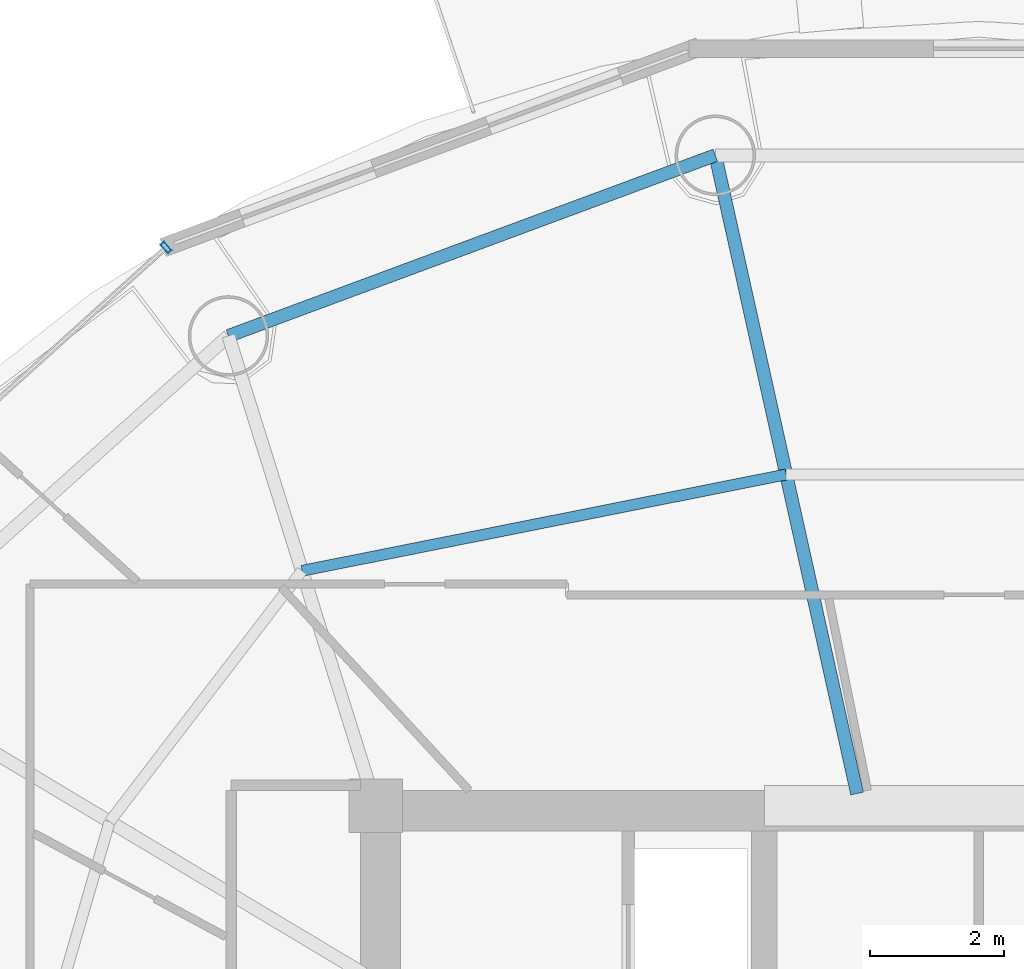
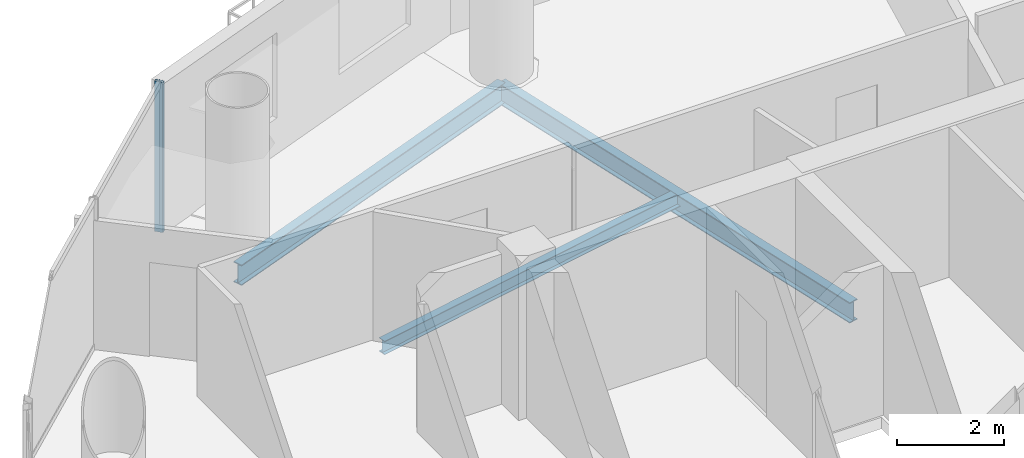
# One storey, part 15 of 26: 3 beams, 1 member, 1 element without a shape of its own.
"""IFC4 building model written with IfcOpenShell, lengths in metres."""

from ifc_helpers import new_model, si_unit, direction, frame, origin, origin_2d, place, context, subcontext, project, spatial, hollow_rectangle, i_section, extrude, source, transform, mapped, material, material_profile, profile_set, type_object, element, aggregate, save


model = new_model("IFC4")

# Units and contexts
model_context = context("Model", 3, precision=1e-05, world=origin(), true_north=direction((-0.2419218956, 0.970295726276)))
body_context = subcontext(model_context, "Body", "Model", "MODEL_VIEW")
ifc_project = project(units=[si_unit("LENGTHUNIT", "METRE"), si_unit("AREAUNIT", "SQUARE_METRE"), si_unit("VOLUMEUNIT", "CUBIC_METRE"), si_unit("PLANEANGLEUNIT", "RADIAN"), si_unit("MASSUNIT", "GRAM", prefix="KILO")], contexts=[model_context])

# Site, building, storey
site_placement = place(None, origin())
site = spatial("IfcSite", under=ifc_project, at=site_placement, CompositionType="ELEMENT")
building_placement = place(site_placement, origin())
building = spatial("IfcBuilding", under=site, at=building_placement, Name="Cobrevalo Terracotta Tower", CompositionType="ELEMENT")
storey_placement = place(building_placement, frame((0.0, 0.0, 235.60009765625)))
storey = spatial("IfcBuildingStorey", under=building, at=storey_placement, Name="L62", CompositionType="ELEMENT", Elevation=235.60009765625)

# Beams
ifc_material_1 = material(Name="Steel S355", Category="steel")
ifc_material_profile_1 = material_profile(ifc_material_1, i_section(OverallWidth=0.194091796875, OverallDepth=0.468994140625, WebThickness=0.011474609375, FlangeThickness=0.0205078125, at=origin_2d()), Name="W 460x106")
ifc_profile_set_1 = profile_set([ifc_material_profile_1], Name="Steel S355")
beam_type_1 = type_object("IfcBeamType", Name="Structural Beam W 460x106 (Steel S355)", PredefinedType="BEAM", material=ifc_profile_set_1)
beam_1_placement = place(storey_placement, frame((34.06884765625, 44.503173828125, -0.49951171875), z_axis=(0.216782061165, -0.976220025382, 0.0), x_axis=(0.976220025382, 0.216782061165, 0.0)))
element("IfcBeam", 1, at=beam_1_placement, inside=storey, type_object=beam_type_1, Name="L62 radial floor girder 05", PredefinedType="BEAM", context=body_context, shape_type="SweptSolid", body=[
    extrude(i_section(OverallWidth=0.194091796875, OverallDepth=0.468994140625, WebThickness=0.011474609375, FlangeThickness=0.0205078125, at=origin_2d()), origin(), (0.0, 0.0, 1.0), 9.755126953125),
])
ifc_material_profile_2 = material_profile(ifc_material_1, i_section(OverallWidth=0.1650390625, OverallDepth=0.31005859375, WebThickness=0.005859375, FlangeThickness=0.009765625, at=origin_2d()), Name="W 310x38.7")
ifc_profile_set_2 = profile_set([ifc_material_profile_2], Name="Steel S355")
beam_type_2 = type_object("IfcBeamType", Name="Structural Joist W 310x38.7 (Steel S355)", PredefinedType="JOIST", material=ifc_profile_set_2)
beam_2_placement = place(storey_placement, frame((35.126220703125, 39.74169921875, -0.420166015625), z_axis=(-0.980762562197, -0.195204499418, 0.0), x_axis=(0.195204499418, -0.980762562197, 0.0)))
element("IfcBeam", 2, at=beam_2_placement, inside=storey, type_object=beam_type_2, Name="L62 circumferential secondary floor joist 05", PredefinedType="JOIST", context=body_context, shape_type="SweptSolid", body=[
    extrude(i_section(OverallWidth=0.1650390625, OverallDepth=0.31005859375, WebThickness=0.005859375, FlangeThickness=0.009765625, at=origin_2d()), origin(), (0.0, 0.0, 1.0), 7.365234375),
])
ifc_material_profile_3 = material_profile(ifc_material_1, i_section(OverallWidth=0.194091796875, OverallDepth=0.468994140625, WebThickness=0.011474609375, FlangeThickness=0.0205078125, at=origin_2d()), Name="W 460x106")
ifc_profile_set_3 = profile_set([ifc_material_profile_3], Name="Steel S355")
beam_type_3 = type_object("IfcBeamType", Name="Structural Spandrel W 460x106 (Steel S355)", PredefinedType="SPANDREL", material=ifc_profile_set_3)
beam_3_placement = place(storey_placement, frame((34.06884765625, 44.503173828125, -0.49951171875), z_axis=(-0.937545996665, -0.347861328892, 0.0), x_axis=(0.347861328892, -0.937545996665, 0.0)))
element("IfcBeam", 3, at=beam_3_placement, inside=storey, type_object=beam_type_3, Name="L62 perimeter ring spandrel 05", PredefinedType="SPANDREL", context=body_context, shape_type="SweptSolid", body=[
    extrude(i_section(OverallWidth=0.194091796875, OverallDepth=0.468994140625, WebThickness=0.011474609375, FlangeThickness=0.0205078125, at=origin_2d()), origin(), (0.0, 0.0, 1.0), 7.74755859375),
])

# Curtain wall, member
ifc_material_2 = material(Name="Anodized aluminium", Category="aluminium")
curtain_wall_type = type_object("IfcCurtainWallType", Name="Mid-tower high-wind unitised curtain wall CW-U2", PredefinedType="NOTDEFINED", material=ifc_material_2)
curtain_wall_placement = place(storey_placement, origin())
curtain_wall = element("IfcCurtainWall", 4, at=curtain_wall_placement, inside=storey, type_object=curtain_wall_type, Name="L62 curtain wall CW-L62-S06", PredefinedType="NOTDEFINED")
ifc_material_profile_4 = material_profile(ifc_material_2, hollow_rectangle(XDim=0.070068359375, YDim=0.169921875, WallThickness=0.00439453125, at=origin_2d()), Name="CWM 70x170")
ifc_profile_set_4 = profile_set([ifc_material_profile_4], Name="Anodized aluminium")
member_type = type_object("IfcMemberType", Name="Upper tower unitised mullion 70x170", PredefinedType="MULLION", material=ifc_profile_set_4)
shared_shape = source(origin(), body_context, "Body", "SweptSolid", [
    extrude(hollow_rectangle(XDim=0.070068359375, YDim=0.169921875, WallThickness=0.00439453125, at=origin_2d()), origin(), (0.0, 0.0, 1.0), 3.434814453125),
])
member_placement = place(storey_placement, frame((25.87548828125, 43.128173828125, 0.0), z_axis=(0.0, 0.0, 1.0), x_axis=(-0.741987542015, -0.670413668935, 0.0)))
member = element("IfcMember", 5, at=member_placement, type_object=member_type, Name="CW-L62-S06 vertical mullion 01", PredefinedType="MULLION", context=body_context, shape_type="MappedRepresentation", body=[
    mapped(shared_shape, transform((0.0, 0.0, 0.0), scale=1.0)),
])
aggregate(curtain_wall, [member])

save(model, "model.ifc")
